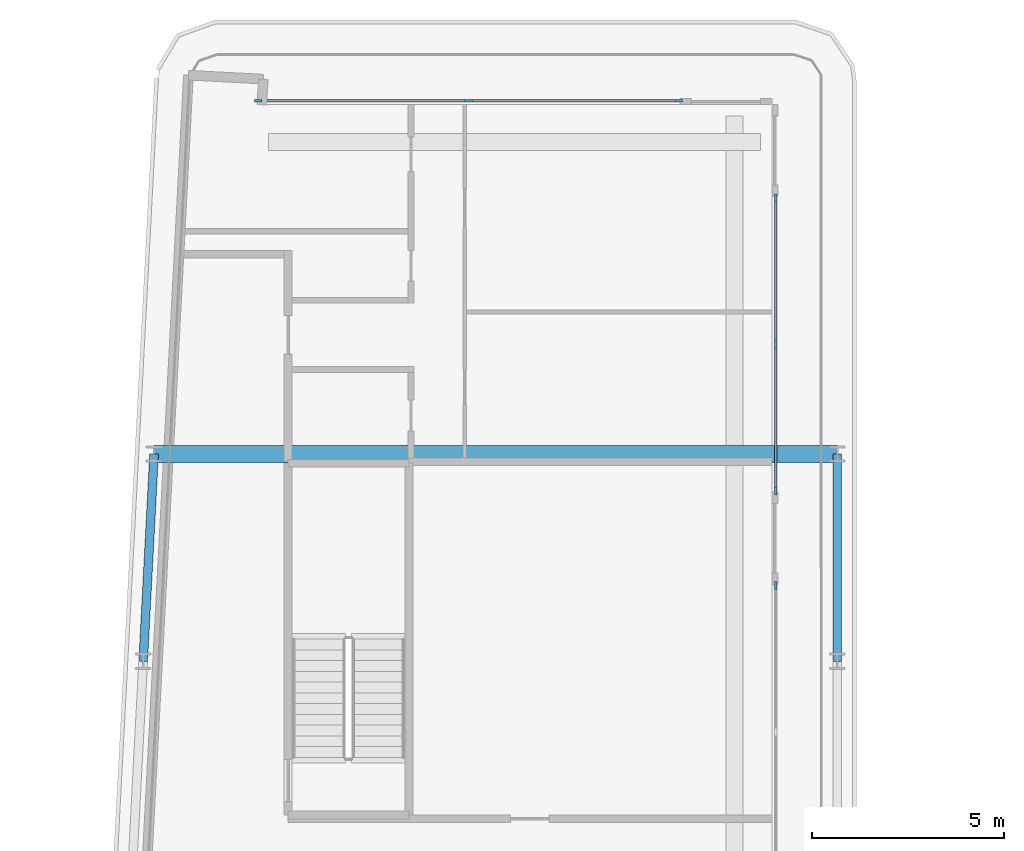
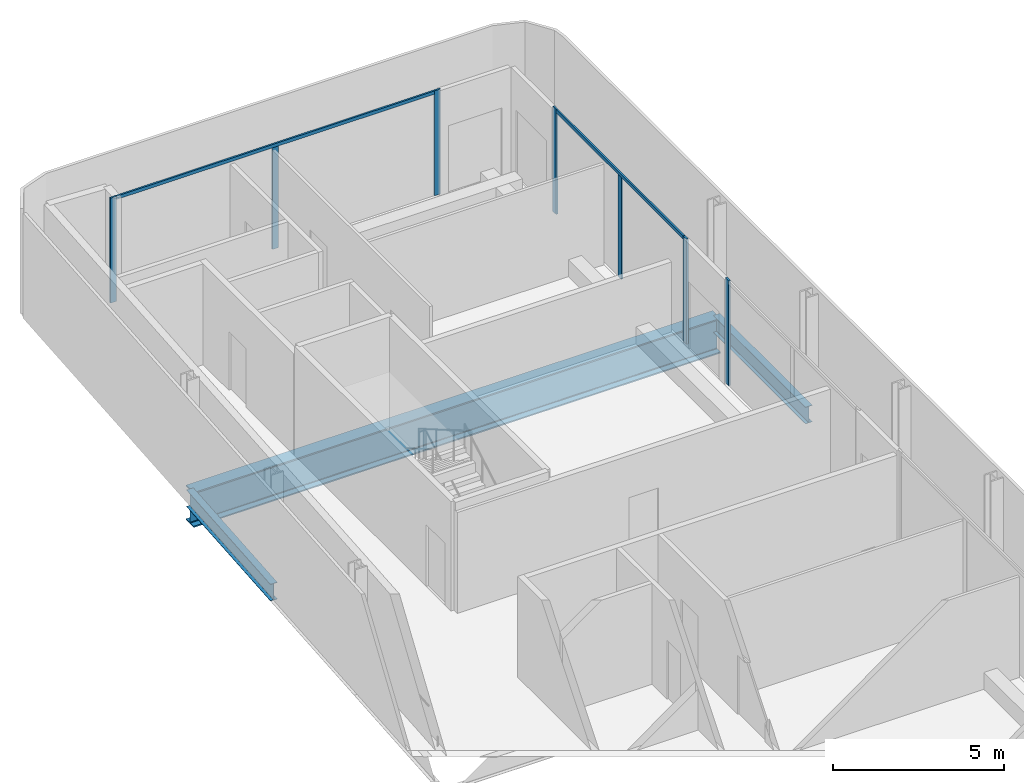
# One storey, part 11 of 29: 9 members, 3 beams, 3 elements without a shape of their own.
"""IFC4 building model written with IfcOpenShell, lengths in metres."""

from ifc_helpers import new_model, si_unit, direction, frame, origin, origin_2d, place, context, subcontext, project, spatial, rectangle, i_section, extrude, material, layer, layer_set, material_profile, profile_set, type_object, element, aggregate, save


model = new_model("IFC4")

# Units and contexts
model_context = context("Model", 3, precision=1e-05, world=origin(), true_north=direction((0.0, 1.0)))
body_context = subcontext(model_context, "Body", "Model", "MODEL_VIEW")
ifc_project = project(units=[si_unit("LENGTHUNIT", "METRE"), si_unit("AREAUNIT", "SQUARE_METRE"), si_unit("VOLUMEUNIT", "CUBIC_METRE"), si_unit("PLANEANGLEUNIT", "RADIAN"), si_unit("MASSUNIT", "GRAM", prefix="KILO")], contexts=[model_context])

# Site, building, storey
site_placement = place(None, origin())
site = spatial("IfcSite", under=ifc_project, at=site_placement, CompositionType="ELEMENT")
building_placement = place(site_placement, origin())
building = spatial("IfcBuilding", under=site, at=building_placement, Name="Kheshtan School and Residences Tower", CompositionType="ELEMENT")
storey_placement = place(building_placement, frame((0.0, 0.0, 172.10009765625)))
storey = spatial("IfcBuildingStorey", under=building, at=storey_placement, Name="L40", CompositionType="ELEMENT", Elevation=172.10009765625)

# Beams
ifc_material_1 = material(Name="Steel ASTM A992 Grade 50", Category="steel")
ifc_material_profile_1 = material_profile(ifc_material_1, i_section(OverallWidth=0.22802734375, OverallDepth=0.60302734375, WebThickness=0.010498046875, FlangeThickness=0.014892578125, FilletRadius=0.013427734375, at=origin_2d()), Name="W610x101")
ifc_profile_set_1 = profile_set([ifc_material_profile_1], Name="Steel ASTM A992 Grade 50")
beam_type_1 = type_object("IfcBeamType", Name="Beam SP2 W610x101 ASTM A992 Grade 50", PredefinedType="BEAM", material=ifc_profile_set_1)
beam_1_placement = place(storey_placement, frame((47.60009765625, 88.800048828125, -0.45166015625), z_axis=(0.0, -1.0, 0.0), x_axis=(1.0, 0.0, 0.0)))
element("IfcBeam", 1, at=beam_1_placement, inside=storey, type_object=beam_type_1, Name="Spandrel beam C099-C091", PredefinedType="BEAM", context=body_context, shape_type="SweptSolid", body=[
    extrude(i_section(OverallWidth=0.22802734375, OverallDepth=0.60302734375, WebThickness=0.010498046875, FlangeThickness=0.014892578125, FilletRadius=0.013427734375, at=origin_2d()), origin(), (0.0, 0.0, 1.0), 5.400146484375),
])
beam_2_placement = place(storey_placement, frame((29.527099609375, 83.39990234375, -0.45166015625), z_axis=(0.05250670125, 0.998620571751, 0.0), x_axis=(-0.998620571751, 0.05250670125, 0.0)))
element("IfcBeam", 2, at=beam_2_placement, inside=storey, type_object=beam_type_1, Name="Spandrel beam C090-C098", PredefinedType="BEAM", context=body_context, shape_type="SweptSolid", body=[
    extrude(i_section(OverallWidth=0.22802734375, OverallDepth=0.60302734375, WebThickness=0.010498046875, FlangeThickness=0.014892578125, FilletRadius=0.013427734375, at=origin_2d()), origin(), (0.0, 0.0, 1.0), 5.40771484375),
])

# Curtain wall, members
ifc_material_2 = material(Name="Clear low-e glass in thermally broken aluminium frame", Category="aluminium")
ifc_layer = layer(ifc_material_2, 0.199951171875)
ifc_layer_set = layer_set([ifc_layer], Name="Curtain wall CW-L")
curtain_wall_type = type_object("IfcCurtainWallType", Name="Curtain wall CW-L", PredefinedType="NOTDEFINED", material=ifc_layer_set)
curtain_wall_1_placement = place(storey_placement, origin())
curtain_wall_1 = element("IfcCurtainWall", 3, at=curtain_wall_1_placement, inside=storey, type_object=curtain_wall_type, Name="Curtain wall CWL7", PredefinedType="NOTDEFINED")
ifc_material_3 = material(Name="Thermally broken aluminium, dark bronze anodised", Category="aluminium")
ifc_material_profile_2 = material_profile(ifc_material_3, rectangle(XDim=0.06005859375, YDim=0.199951171875, at=origin_2d()), Name="CW-L mullion 60x200")
ifc_profile_set_2 = profile_set([ifc_material_profile_2], Name="Thermally broken aluminium, dark bronze anodised")
member_type_1 = type_object("IfcMemberType", Name="CW-L mullion 60x200", PredefinedType="MULLION", material=ifc_profile_set_2)
member_1_placement = place(storey_placement, frame((32.52197265625, 98.0, 0.0), z_axis=(0.0, 0.0, 1.0), x_axis=(0.0, 1.0, 0.0)))
member_1 = element("IfcMember", 4, at=member_1_placement, type_object=member_type_1, Name="CWL7 mullion 1", PredefinedType="MULLION", context=body_context, shape_type="SweptSolid", body=[
    extrude(rectangle(XDim=0.06005859375, YDim=0.199951171875, at=origin_2d()), origin(), (0.0, 0.0, 1.0), 3.75),
])
member_2_placement = place(storey_placement, frame((37.99609375, 98.0, 0.0), z_axis=(0.0, 0.0, 1.0), x_axis=(0.0, 1.0, 0.0)))
member_2 = element("IfcMember", 5, at=member_2_placement, type_object=member_type_1, Name="CWL7 mullion 2", PredefinedType="MULLION", context=body_context, shape_type="SweptSolid", body=[
    extrude(rectangle(XDim=0.06005859375, YDim=0.199951171875, at=origin_2d()), origin(), (0.0, 0.0, 1.0), 3.6298828125),
])
member_3_placement = place(storey_placement, frame((43.469970703125, 98.0, 0.0), z_axis=(0.0, 0.0, 1.0), x_axis=(0.0, 1.0, 0.0)))
member_3 = element("IfcMember", 6, at=member_3_placement, type_object=member_type_1, Name="CWL7 mullion 3", PredefinedType="MULLION", context=body_context, shape_type="SweptSolid", body=[
    extrude(rectangle(XDim=0.06005859375, YDim=0.199951171875, at=origin_2d()), origin(), (0.0, 0.0, 1.0), 3.75),
])

curtain_wall_2_placement = place(storey_placement, origin())
curtain_wall_2 = element("IfcCurtainWall", 7, at=curtain_wall_2_placement, inside=storey, type_object=curtain_wall_type, Name="Curtain wall CWL8", PredefinedType="NOTDEFINED")
member_4_placement = place(storey_placement, frame((46.0, 95.469970703125, 0.0), z_axis=(0.0, 0.0, 1.0), x_axis=(1.0, 0.0, 0.0)))
member_4 = element("IfcMember", 8, at=member_4_placement, type_object=member_type_1, Name="CWL8 mullion 1", PredefinedType="MULLION", context=body_context, shape_type="SweptSolid", body=[
    extrude(rectangle(XDim=0.06005859375, YDim=0.199951171875, at=origin_2d()), origin(), (0.0, 0.0, 1.0), 3.75),
])
member_5_placement = place(storey_placement, frame((46.0, 91.653076171875, 0.0), z_axis=(0.0, 0.0, 1.0), x_axis=(1.0, 0.0, 0.0)))
member_5 = element("IfcMember", 9, at=member_5_placement, type_object=member_type_1, Name="CWL8 mullion 2", PredefinedType="MULLION", context=body_context, shape_type="SweptSolid", body=[
    extrude(rectangle(XDim=0.06005859375, YDim=0.199951171875, at=origin_2d()), origin(), (0.0, 0.0, 1.0), 3.6298828125),
])
member_6_placement = place(storey_placement, frame((46.0, 87.8359375, 0.0), z_axis=(0.0, 0.0, 1.0), x_axis=(1.0, 0.0, 0.0)))
member_6 = element("IfcMember", 10, at=member_6_placement, type_object=member_type_1, Name="CWL8 mullion 3", PredefinedType="MULLION", context=body_context, shape_type="SweptSolid", body=[
    extrude(rectangle(XDim=0.06005859375, YDim=0.199951171875, at=origin_2d()), origin(), (0.0, 0.0, 1.0), 3.75),
])

# Curtain wall, member
curtain_wall_3_placement = place(storey_placement, origin())
curtain_wall_3 = element("IfcCurtainWall", 11, at=curtain_wall_3_placement, inside=storey, type_object=curtain_wall_type, Name="Curtain wall CWL8", PredefinedType="NOTDEFINED")
member_7_placement = place(storey_placement, frame((46.0, 85.3759765625, 0.0), z_axis=(0.0, 0.0, 1.0), x_axis=(1.0, 0.0, 0.0)))
member_7 = element("IfcMember", 12, at=member_7_placement, type_object=member_type_1, Name="CWL8 mullion 1", PredefinedType="MULLION", context=body_context, shape_type="SweptSolid", body=[
    extrude(rectangle(XDim=0.06005859375, YDim=0.199951171875, at=origin_2d()), origin(), (0.0, 0.0, 1.0), 3.75),
])
aggregate(curtain_wall_3, [member_7])

# Member
ifc_material_profile_3 = material_profile(ifc_material_3, rectangle(XDim=0.06005859375, YDim=0.1201171875, at=origin_2d()), Name="CW-L transom 60x120")
ifc_profile_set_3 = profile_set([ifc_material_profile_3], Name="Thermally broken aluminium, dark bronze anodised")
member_type_2 = type_object("IfcMemberType", Name="CW-L transom 60x120", PredefinedType="USERDEFINED", material=ifc_profile_set_3)
member_8_placement = place(storey_placement, frame((32.552001953125, 98.0, 3.68994140625), z_axis=(1.0, 0.0, 0.0), x_axis=(0.0, 1.0, 0.0)))
member_8 = element("IfcMember", 13, at=member_8_placement, type_object=member_type_2, Name="CWL7 transom 1", ObjectType="TRANSOM", PredefinedType="USERDEFINED", context=body_context, shape_type="SweptSolid", body=[
    extrude(rectangle(XDim=0.06005859375, YDim=0.1201171875, at=origin_2d()), origin(), (0.0, 0.0, 1.0), 10.887939453125),
])

aggregate(curtain_wall_1, [member_1, member_2, member_3, member_8])

member_9_placement = place(storey_placement, frame((46.0, 95.43994140625, 3.68994140625), z_axis=(0.0, -1.0, 0.0), x_axis=(1.0, 0.0, 0.0)))
member_9 = element("IfcMember", 14, at=member_9_placement, type_object=member_type_2, Name="CWL8 transom 1", ObjectType="TRANSOM", PredefinedType="USERDEFINED", context=body_context, shape_type="SweptSolid", body=[
    extrude(rectangle(XDim=0.06005859375, YDim=0.1201171875, at=origin_2d()), origin(), (0.0, 0.0, 1.0), 7.573974609375),
])

aggregate(curtain_wall_2, [member_4, member_5, member_6, member_9])

# Beam
ifc_material_profile_4 = material_profile(ifc_material_1, i_section(OverallWidth=0.449951171875, OverallDepth=1.25, WebThickness=0.02490234375, FlangeThickness=0.044921875, FilletRadius=0.03759765625, at=origin_2d()), Name="WWF1250x546")
ifc_profile_set_4 = profile_set([ifc_material_profile_4], Name="Steel ASTM A992 Grade 50")
beam_type_2 = type_object("IfcBeamType", Name="Transfer girder TG4 WWF1250x546 ASTM A992 Grade 50", PredefinedType="BEAM", material=ifc_profile_set_4)
beam_3_placement = place(storey_placement, frame((29.81103515625, 88.800048828125, -0.775146484375), z_axis=(1.0, 0.0, 0.0), x_axis=(0.0, 1.0, 0.0)))
element("IfcBeam", 15, at=beam_3_placement, inside=storey, type_object=beam_type_2, Name="Transfer girder C098-C099", PredefinedType="BEAM", context=body_context, shape_type="SweptSolid", body=[
    extrude(i_section(OverallWidth=0.449951171875, OverallDepth=1.25, WebThickness=0.02490234375, FlangeThickness=0.044921875, FilletRadius=0.03759765625, at=origin_2d()), origin(), (0.0, 0.0, 1.0), 17.7890625),
])

save(model, "model.ifc")
